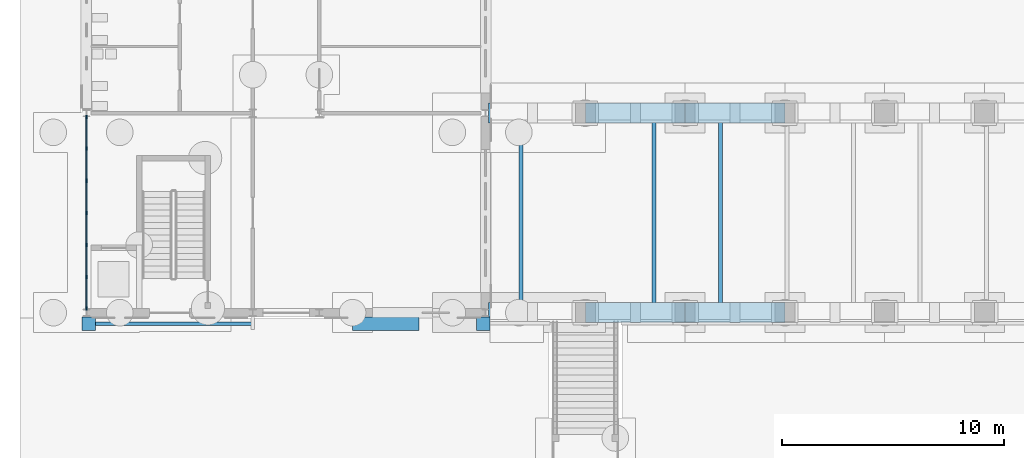
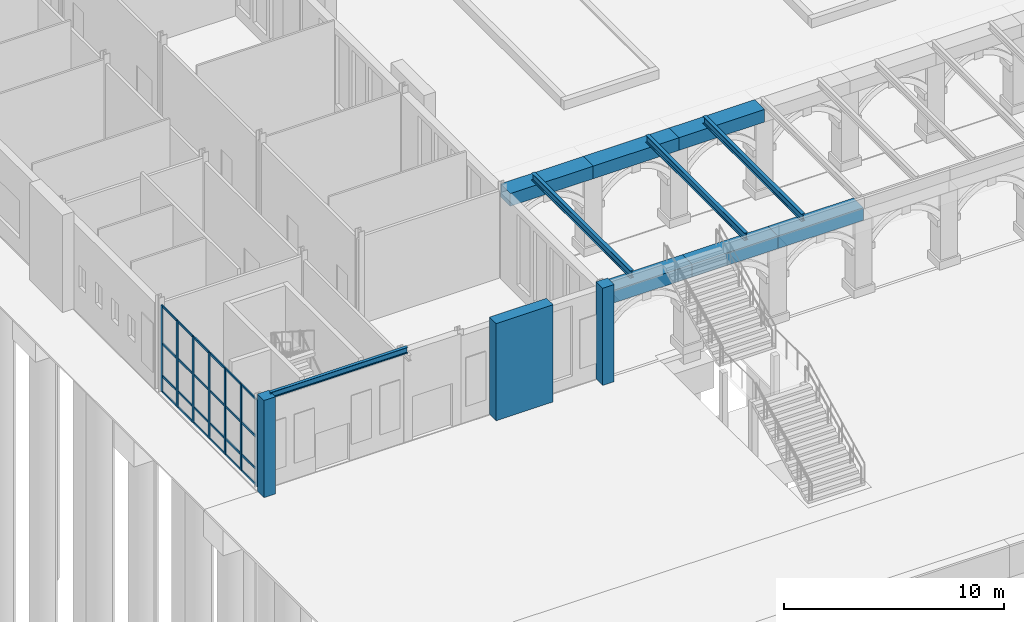
# One storey, part 36 of 168: 34 members, 10 beams, 1 element without a shape of its own.
"""IFC4 building model written with IfcOpenShell, lengths in metres."""

from ifc_helpers import new_model, si_unit, direction, frame, origin, origin_2d, place, context, subcontext, project, spatial, rectangle, i_section, extrude, material, layer, layer_set, material_profile, profile_set, type_object, element, aggregate, save


model = new_model("IFC4")

# Units and contexts
model_context = context("Model", 3, precision=1e-05, world=origin(), true_north=direction((0.0, 1.0)))
body_context = subcontext(model_context, "Body", "Model", "MODEL_VIEW")
ifc_project = project(units=[si_unit("LENGTHUNIT", "METRE"), si_unit("AREAUNIT", "SQUARE_METRE"), si_unit("VOLUMEUNIT", "CUBIC_METRE"), si_unit("PLANEANGLEUNIT", "RADIAN"), si_unit("MASSUNIT", "GRAM", prefix="KILO")], contexts=[model_context])

# Site, building, storey
site_placement = place(None, origin())
site = spatial("IfcSite", under=ifc_project, at=site_placement, CompositionType="ELEMENT")
building_placement = place(site_placement, origin())
building = spatial("IfcBuilding", under=site, at=building_placement, Name="Golden Quay Civic Hall", CompositionType="ELEMENT")
storey_placement = place(building_placement, origin())
storey = spatial("IfcBuildingStorey", under=building, at=storey_placement, Name="L00", CompositionType="ELEMENT", Elevation=0.0)

# Curtain wall, members
ifc_material_1 = material(Name="Glass, laminated double glazed", Category="glass")
ifc_layer = layer(ifc_material_1, 0.199951171875)
ifc_layer_set = layer_set([ifc_layer], Name="Glazed core strip curtain wall")
curtain_wall_type = type_object("IfcCurtainWallType", Name="Glazed core strip curtain wall", PredefinedType="NOTDEFINED", material=ifc_layer_set)
curtain_wall_placement = place(storey_placement, origin())
curtain_wall = element("IfcCurtainWall", 1, at=curtain_wall_placement, inside=storey, type_object=curtain_wall_type, Name="Glazed core strip curtain wall L00 1", PredefinedType="NOTDEFINED")
ifc_material_2 = material(Name="Aluminium, anodised", Category="aluminium")
ifc_material_profile_1 = material_profile(ifc_material_2, rectangle(XDim=0.06005859375, YDim=0.159912109375, at=origin_2d()), Name="Aluminium 60 x 160")
ifc_profile_set_1 = profile_set([ifc_material_profile_1], Name="Aluminium, anodised")
member_type_1 = type_object("IfcMemberType", Name="Aluminium mullion 60 x 160", PredefinedType="MULLION", material=ifc_profile_set_1)
member_1_placement = place(storey_placement, frame((0.0, -8.820068359375, 0.0), z_axis=(0.0, 0.0, 1.0), x_axis=(-1.0, 0.0, 0.0)))
member_1 = element("IfcMember", 2, at=member_1_placement, type_object=member_type_1, Name="CW2 mullion 1", PredefinedType="MULLION", context=body_context, shape_type="SweptSolid", body=[
    extrude(rectangle(XDim=0.06005859375, YDim=0.159912109375, at=origin_2d()), origin(), (0.0, 0.0, 1.0), 4.800048828125),
])
member_2_placement = place(storey_placement, frame((0.0, -7.39990234375, 0.0), z_axis=(0.0, 0.0, 1.0), x_axis=(-1.0, 0.0, 0.0)))
member_2 = element("IfcMember", 3, at=member_2_placement, type_object=member_type_1, Name="CW2 mullion 2", PredefinedType="MULLION", context=body_context, shape_type="SweptSolid", body=[
    extrude(rectangle(XDim=0.06005859375, YDim=0.159912109375, at=origin_2d()), origin(), (0.0, 0.0, 1.0), 4.800048828125),
])
member_3_placement = place(storey_placement, frame((0.0, -5.949951171875, 0.0), z_axis=(0.0, 0.0, 1.0), x_axis=(-1.0, 0.0, 0.0)))
member_3 = element("IfcMember", 4, at=member_3_placement, type_object=member_type_1, Name="CW2 mullion 3", PredefinedType="MULLION", context=body_context, shape_type="SweptSolid", body=[
    extrude(rectangle(XDim=0.06005859375, YDim=0.159912109375, at=origin_2d()), origin(), (0.0, 0.0, 1.0), 4.800048828125),
])
member_4_placement = place(storey_placement, frame((0.0, -4.5, 0.0), z_axis=(0.0, 0.0, 1.0), x_axis=(-1.0, 0.0, 0.0)))
member_4 = element("IfcMember", 5, at=member_4_placement, type_object=member_type_1, Name="CW2 mullion 4", PredefinedType="MULLION", context=body_context, shape_type="SweptSolid", body=[
    extrude(rectangle(XDim=0.06005859375, YDim=0.159912109375, at=origin_2d()), origin(), (0.0, 0.0, 1.0), 4.800048828125),
])
member_5_placement = place(storey_placement, frame((0.0, -3.050048828125, 0.0), z_axis=(0.0, 0.0, 1.0), x_axis=(-1.0, 0.0, 0.0)))
member_5 = element("IfcMember", 6, at=member_5_placement, type_object=member_type_1, Name="CW2 mullion 5", PredefinedType="MULLION", context=body_context, shape_type="SweptSolid", body=[
    extrude(rectangle(XDim=0.06005859375, YDim=0.159912109375, at=origin_2d()), origin(), (0.0, 0.0, 1.0), 4.800048828125),
])
member_6_placement = place(storey_placement, frame((0.0, -1.60009765625, 0.0), z_axis=(0.0, 0.0, 1.0), x_axis=(-1.0, 0.0, 0.0)))
member_6 = element("IfcMember", 7, at=member_6_placement, type_object=member_type_1, Name="CW2 mullion 6", PredefinedType="MULLION", context=body_context, shape_type="SweptSolid", body=[
    extrude(rectangle(XDim=0.06005859375, YDim=0.159912109375, at=origin_2d()), origin(), (0.0, 0.0, 1.0), 4.800048828125),
])
member_7_placement = place(storey_placement, frame((0.0, -0.179931640625, 0.0), z_axis=(0.0, 0.0, 1.0), x_axis=(-1.0, 0.0, 0.0)))
member_7 = element("IfcMember", 8, at=member_7_placement, type_object=member_type_1, Name="CW2 mullion 7", PredefinedType="MULLION", context=body_context, shape_type="SweptSolid", body=[
    extrude(rectangle(XDim=0.06005859375, YDim=0.159912109375, at=origin_2d()), origin(), (0.0, 0.0, 1.0), 4.800048828125),
])
ifc_material_3 = material(Name="Aluminium, anodised", Category="aluminium")
ifc_material_profile_2 = material_profile(ifc_material_3, rectangle(XDim=0.06005859375, YDim=0.1201171875, at=origin_2d()), Name="Aluminium 60 x 120")
ifc_profile_set_2 = profile_set([ifc_material_profile_2], Name="Aluminium, anodised")
member_type_2 = type_object("IfcMemberType", Name="Aluminium transom 60 x 120", PredefinedType="USERDEFINED", material=ifc_profile_set_2)
member_8_placement = place(storey_placement, frame((0.0, -8.7900390625, 0.030029296875), z_axis=(0.0, 1.0, 0.0), x_axis=(-1.0, 0.0, 0.0)))
member_8 = element("IfcMember", 9, at=member_8_placement, type_object=member_type_2, Name="CW2 transom 1.1", ObjectType="TRANSOM", PredefinedType="USERDEFINED", context=body_context, shape_type="SweptSolid", body=[
    extrude(rectangle(XDim=0.06005859375, YDim=0.1201171875, at=origin_2d()), origin(), (0.0, 0.0, 1.0), 1.360107421875),
])
member_9_placement = place(storey_placement, frame((0.0, -8.7900390625, 0.89990234375), z_axis=(0.0, 1.0, 0.0), x_axis=(-1.0, 0.0, 0.0)))
member_9 = element("IfcMember", 10, at=member_9_placement, type_object=member_type_2, Name="CW2 transom 1.2", ObjectType="TRANSOM", PredefinedType="USERDEFINED", context=body_context, shape_type="SweptSolid", body=[
    extrude(rectangle(XDim=0.06005859375, YDim=0.1201171875, at=origin_2d()), origin(), (0.0, 0.0, 1.0), 1.360107421875),
])
member_10_placement = place(storey_placement, frame((0.0, -8.7900390625, 2.699951171875), z_axis=(0.0, 1.0, 0.0), x_axis=(-1.0, 0.0, 0.0)))
member_10 = element("IfcMember", 11, at=member_10_placement, type_object=member_type_2, Name="CW2 transom 1.3", ObjectType="TRANSOM", PredefinedType="USERDEFINED", context=body_context, shape_type="SweptSolid", body=[
    extrude(rectangle(XDim=0.06005859375, YDim=0.1201171875, at=origin_2d()), origin(), (0.0, 0.0, 1.0), 1.360107421875),
])
member_11_placement = place(storey_placement, frame((0.0, -8.7900390625, 4.77001953125), z_axis=(0.0, 1.0, 0.0), x_axis=(-1.0, 0.0, 0.0)))
member_11 = element("IfcMember", 12, at=member_11_placement, type_object=member_type_2, Name="CW2 transom 1.4", ObjectType="TRANSOM", PredefinedType="USERDEFINED", context=body_context, shape_type="SweptSolid", body=[
    extrude(rectangle(XDim=0.06005859375, YDim=0.1201171875, at=origin_2d()), origin(), (0.0, 0.0, 1.0), 1.360107421875),
])
member_12_placement = place(storey_placement, frame((0.0, -7.3701171875, 0.030029296875), z_axis=(0.0, 1.0, 0.0), x_axis=(-1.0, 0.0, 0.0)))
member_12 = element("IfcMember", 13, at=member_12_placement, type_object=member_type_2, Name="CW2 transom 2.1", ObjectType="TRANSOM", PredefinedType="USERDEFINED", context=body_context, shape_type="SweptSolid", body=[
    extrude(rectangle(XDim=0.06005859375, YDim=0.1201171875, at=origin_2d()), origin(), (0.0, 0.0, 1.0), 1.39013671875),
])
member_13_placement = place(storey_placement, frame((0.0, -7.3701171875, 0.89990234375), z_axis=(0.0, 1.0, 0.0), x_axis=(-1.0, 0.0, 0.0)))
member_13 = element("IfcMember", 14, at=member_13_placement, type_object=member_type_2, Name="CW2 transom 2.2", ObjectType="TRANSOM", PredefinedType="USERDEFINED", context=body_context, shape_type="SweptSolid", body=[
    extrude(rectangle(XDim=0.06005859375, YDim=0.1201171875, at=origin_2d()), origin(), (0.0, 0.0, 1.0), 1.39013671875),
])
member_14_placement = place(storey_placement, frame((0.0, -7.3701171875, 2.699951171875), z_axis=(0.0, 1.0, 0.0), x_axis=(-1.0, 0.0, 0.0)))
member_14 = element("IfcMember", 15, at=member_14_placement, type_object=member_type_2, Name="CW2 transom 2.3", ObjectType="TRANSOM", PredefinedType="USERDEFINED", context=body_context, shape_type="SweptSolid", body=[
    extrude(rectangle(XDim=0.06005859375, YDim=0.1201171875, at=origin_2d()), origin(), (0.0, 0.0, 1.0), 1.39013671875),
])
member_15_placement = place(storey_placement, frame((0.0, -7.3701171875, 4.77001953125), z_axis=(0.0, 1.0, 0.0), x_axis=(-1.0, 0.0, 0.0)))
member_15 = element("IfcMember", 16, at=member_15_placement, type_object=member_type_2, Name="CW2 transom 2.4", ObjectType="TRANSOM", PredefinedType="USERDEFINED", context=body_context, shape_type="SweptSolid", body=[
    extrude(rectangle(XDim=0.06005859375, YDim=0.1201171875, at=origin_2d()), origin(), (0.0, 0.0, 1.0), 1.39013671875),
])
member_16_placement = place(storey_placement, frame((0.0, -5.919921875, 0.030029296875), z_axis=(0.0, 1.0, 0.0), x_axis=(-1.0, 0.0, 0.0)))
member_16 = element("IfcMember", 17, at=member_16_placement, type_object=member_type_2, Name="CW2 transom 3.1", ObjectType="TRANSOM", PredefinedType="USERDEFINED", context=body_context, shape_type="SweptSolid", body=[
    extrude(rectangle(XDim=0.06005859375, YDim=0.1201171875, at=origin_2d()), origin(), (0.0, 0.0, 1.0), 1.389892578125),
])
member_17_placement = place(storey_placement, frame((0.0, -5.919921875, 0.89990234375), z_axis=(0.0, 1.0, 0.0), x_axis=(-1.0, 0.0, 0.0)))
member_17 = element("IfcMember", 18, at=member_17_placement, type_object=member_type_2, Name="CW2 transom 3.2", ObjectType="TRANSOM", PredefinedType="USERDEFINED", context=body_context, shape_type="SweptSolid", body=[
    extrude(rectangle(XDim=0.06005859375, YDim=0.1201171875, at=origin_2d()), origin(), (0.0, 0.0, 1.0), 1.389892578125),
])
member_18_placement = place(storey_placement, frame((0.0, -5.919921875, 2.699951171875), z_axis=(0.0, 1.0, 0.0), x_axis=(-1.0, 0.0, 0.0)))
member_18 = element("IfcMember", 19, at=member_18_placement, type_object=member_type_2, Name="CW2 transom 3.3", ObjectType="TRANSOM", PredefinedType="USERDEFINED", context=body_context, shape_type="SweptSolid", body=[
    extrude(rectangle(XDim=0.06005859375, YDim=0.1201171875, at=origin_2d()), origin(), (0.0, 0.0, 1.0), 1.389892578125),
])
member_19_placement = place(storey_placement, frame((0.0, -5.919921875, 4.77001953125), z_axis=(0.0, 1.0, 0.0), x_axis=(-1.0, 0.0, 0.0)))
member_19 = element("IfcMember", 20, at=member_19_placement, type_object=member_type_2, Name="CW2 transom 3.4", ObjectType="TRANSOM", PredefinedType="USERDEFINED", context=body_context, shape_type="SweptSolid", body=[
    extrude(rectangle(XDim=0.06005859375, YDim=0.1201171875, at=origin_2d()), origin(), (0.0, 0.0, 1.0), 1.389892578125),
])
member_20_placement = place(storey_placement, frame((0.0, -4.469970703125, 0.030029296875), z_axis=(0.0, 1.0, 0.0), x_axis=(-1.0, 0.0, 0.0)))
member_20 = element("IfcMember", 21, at=member_20_placement, type_object=member_type_2, Name="CW2 transom 4.1", ObjectType="TRANSOM", PredefinedType="USERDEFINED", context=body_context, shape_type="SweptSolid", body=[
    extrude(rectangle(XDim=0.06005859375, YDim=0.1201171875, at=origin_2d()), origin(), (0.0, 0.0, 1.0), 1.389892578125),
])
member_21_placement = place(storey_placement, frame((0.0, -4.469970703125, 0.89990234375), z_axis=(0.0, 1.0, 0.0), x_axis=(-1.0, 0.0, 0.0)))
member_21 = element("IfcMember", 22, at=member_21_placement, type_object=member_type_2, Name="CW2 transom 4.2", ObjectType="TRANSOM", PredefinedType="USERDEFINED", context=body_context, shape_type="SweptSolid", body=[
    extrude(rectangle(XDim=0.06005859375, YDim=0.1201171875, at=origin_2d()), origin(), (0.0, 0.0, 1.0), 1.389892578125),
])
member_22_placement = place(storey_placement, frame((0.0, -4.469970703125, 2.699951171875), z_axis=(0.0, 1.0, 0.0), x_axis=(-1.0, 0.0, 0.0)))
member_22 = element("IfcMember", 23, at=member_22_placement, type_object=member_type_2, Name="CW2 transom 4.3", ObjectType="TRANSOM", PredefinedType="USERDEFINED", context=body_context, shape_type="SweptSolid", body=[
    extrude(rectangle(XDim=0.06005859375, YDim=0.1201171875, at=origin_2d()), origin(), (0.0, 0.0, 1.0), 1.389892578125),
])
member_23_placement = place(storey_placement, frame((0.0, -4.469970703125, 4.77001953125), z_axis=(0.0, 1.0, 0.0), x_axis=(-1.0, 0.0, 0.0)))
member_23 = element("IfcMember", 24, at=member_23_placement, type_object=member_type_2, Name="CW2 transom 4.4", ObjectType="TRANSOM", PredefinedType="USERDEFINED", context=body_context, shape_type="SweptSolid", body=[
    extrude(rectangle(XDim=0.06005859375, YDim=0.1201171875, at=origin_2d()), origin(), (0.0, 0.0, 1.0), 1.389892578125),
])
member_24_placement = place(storey_placement, frame((0.0, -3.02001953125, 0.030029296875), z_axis=(0.0, 1.0, 0.0), x_axis=(-1.0, 0.0, 0.0)))
member_24 = element("IfcMember", 25, at=member_24_placement, type_object=member_type_2, Name="CW2 transom 5.1", ObjectType="TRANSOM", PredefinedType="USERDEFINED", context=body_context, shape_type="SweptSolid", body=[
    extrude(rectangle(XDim=0.06005859375, YDim=0.1201171875, at=origin_2d()), origin(), (0.0, 0.0, 1.0), 1.39013671875),
])
member_25_placement = place(storey_placement, frame((0.0, -3.02001953125, 0.89990234375), z_axis=(0.0, 1.0, 0.0), x_axis=(-1.0, 0.0, 0.0)))
member_25 = element("IfcMember", 26, at=member_25_placement, type_object=member_type_2, Name="CW2 transom 5.2", ObjectType="TRANSOM", PredefinedType="USERDEFINED", context=body_context, shape_type="SweptSolid", body=[
    extrude(rectangle(XDim=0.06005859375, YDim=0.1201171875, at=origin_2d()), origin(), (0.0, 0.0, 1.0), 1.39013671875),
])
member_26_placement = place(storey_placement, frame((0.0, -3.02001953125, 2.699951171875), z_axis=(0.0, 1.0, 0.0), x_axis=(-1.0, 0.0, 0.0)))
member_26 = element("IfcMember", 27, at=member_26_placement, type_object=member_type_2, Name="CW2 transom 5.3", ObjectType="TRANSOM", PredefinedType="USERDEFINED", context=body_context, shape_type="SweptSolid", body=[
    extrude(rectangle(XDim=0.06005859375, YDim=0.1201171875, at=origin_2d()), origin(), (0.0, 0.0, 1.0), 1.39013671875),
])
member_27_placement = place(storey_placement, frame((0.0, -3.02001953125, 4.77001953125), z_axis=(0.0, 1.0, 0.0), x_axis=(-1.0, 0.0, 0.0)))
member_27 = element("IfcMember", 28, at=member_27_placement, type_object=member_type_2, Name="CW2 transom 5.4", ObjectType="TRANSOM", PredefinedType="USERDEFINED", context=body_context, shape_type="SweptSolid", body=[
    extrude(rectangle(XDim=0.06005859375, YDim=0.1201171875, at=origin_2d()), origin(), (0.0, 0.0, 1.0), 1.39013671875),
])
member_28_placement = place(storey_placement, frame((0.0, -1.570068359375, 0.030029296875), z_axis=(0.0, 1.0, 0.0), x_axis=(-1.0, 0.0, 0.0)))
member_28 = element("IfcMember", 29, at=member_28_placement, type_object=member_type_2, Name="CW2 transom 6.1", ObjectType="TRANSOM", PredefinedType="USERDEFINED", context=body_context, shape_type="SweptSolid", body=[
    extrude(rectangle(XDim=0.06005859375, YDim=0.1201171875, at=origin_2d()), origin(), (0.0, 0.0, 1.0), 1.360107421875),
])
member_29_placement = place(storey_placement, frame((0.0, -1.570068359375, 0.89990234375), z_axis=(0.0, 1.0, 0.0), x_axis=(-1.0, 0.0, 0.0)))
member_29 = element("IfcMember", 30, at=member_29_placement, type_object=member_type_2, Name="CW2 transom 6.2", ObjectType="TRANSOM", PredefinedType="USERDEFINED", context=body_context, shape_type="SweptSolid", body=[
    extrude(rectangle(XDim=0.06005859375, YDim=0.1201171875, at=origin_2d()), origin(), (0.0, 0.0, 1.0), 1.360107421875),
])
member_30_placement = place(storey_placement, frame((0.0, -1.570068359375, 2.699951171875), z_axis=(0.0, 1.0, 0.0), x_axis=(-1.0, 0.0, 0.0)))
member_30 = element("IfcMember", 31, at=member_30_placement, type_object=member_type_2, Name="CW2 transom 6.3", ObjectType="TRANSOM", PredefinedType="USERDEFINED", context=body_context, shape_type="SweptSolid", body=[
    extrude(rectangle(XDim=0.06005859375, YDim=0.1201171875, at=origin_2d()), origin(), (0.0, 0.0, 1.0), 1.360107421875),
])
member_31_placement = place(storey_placement, frame((0.0, -1.570068359375, 4.77001953125), z_axis=(0.0, 1.0, 0.0), x_axis=(-1.0, 0.0, 0.0)))
member_31 = element("IfcMember", 32, at=member_31_placement, type_object=member_type_2, Name="CW2 transom 6.4", ObjectType="TRANSOM", PredefinedType="USERDEFINED", context=body_context, shape_type="SweptSolid", body=[
    extrude(rectangle(XDim=0.06005859375, YDim=0.1201171875, at=origin_2d()), origin(), (0.0, 0.0, 1.0), 1.360107421875),
])
aggregate(curtain_wall, [member_1, member_2, member_3, member_4, member_5, member_6, member_7, member_8, member_9, member_10, member_11, member_12, member_13, member_14, member_15, member_16, member_17, member_18, member_19, member_20, member_21, member_22, member_23, member_24, member_25, member_26, member_27, member_28, member_29, member_30, member_31])

# Beams
ifc_material_4 = material(Name="Concrete C40/50", Category="concrete")
ifc_material_profile_3 = material_profile(ifc_material_4, rectangle(XDim=0.89990234375, YDim=0.699951171875, at=origin_2d()), Name="RC 900x700")
ifc_profile_set_3 = profile_set([ifc_material_profile_3], Name="Concrete C40/50")
beam_type_1 = type_object("IfcBeamType", Name="Concrete spandrel beam RC 900x700", PredefinedType="SPANDREL", material=ifc_profile_set_3)
beam_1_placement = place(storey_placement, frame((18.139892578125, -9.0, 4.449951171875), z_axis=(1.0, 0.0, 0.0), x_axis=(0.0, 1.0, 0.0)))
element("IfcBeam", 33, at=beam_1_placement, inside=storey, type_object=beam_type_1, Name="Spandrel beam outer bay 1", PredefinedType="SPANDREL", context=body_context, shape_type="SweptSolid", body=[
    extrude(rectangle(XDim=0.89990234375, YDim=0.699951171875, at=origin_2d()), origin(), (0.0, 0.0, 1.0), 4.360107421875),
])
for number, where, z_axis, x_axis, name in (
    (34, (22.5, -9.0, 4.449951171875), (1.0, 0.0, 0.0), (0.0, 1.0, 0.0), "Spandrel beam outer bay 2"),
    (35, (27.0, -9.0, 4.449951171875), (1.0, 0.0, 0.0), (0.0, 1.0, 0.0), "Spandrel beam outer bay 3"),
):
    element("IfcBeam", number, at=place(storey_placement, frame(where, z_axis=z_axis, x_axis=x_axis)), inside=storey, type_object=beam_type_1, Name=name, PredefinedType="SPANDREL", context=body_context, shape_type="SweptSolid", body=[
        extrude(rectangle(XDim=0.89990234375, YDim=0.699951171875, at=origin_2d()), origin(), (0.0, 0.0, 1.0), 4.5),
    ])
beam_2_placement = place(storey_placement, frame((18.139892578125, 0.0, 4.449951171875), z_axis=(1.0, 0.0, 0.0), x_axis=(0.0, 1.0, 0.0)))
element("IfcBeam", 36, at=beam_2_placement, inside=storey, type_object=beam_type_1, Name="Spandrel beam inner0 bay 1", PredefinedType="SPANDREL", context=body_context, shape_type="SweptSolid", body=[
    extrude(rectangle(XDim=0.89990234375, YDim=0.699951171875, at=origin_2d()), origin(), (0.0, 0.0, 1.0), 4.360107421875),
])
for number, where, z_axis, x_axis, name in (
    (37, (22.5, 0.0, 4.449951171875), (1.0, 0.0, 0.0), (0.0, 1.0, 0.0), "Spandrel beam inner0 bay 2"),
    (38, (27.0, 0.0, 4.449951171875), (1.0, 0.0, 0.0), (0.0, 1.0, 0.0), "Spandrel beam inner0 bay 3"),
):
    element("IfcBeam", number, at=place(storey_placement, frame(where, z_axis=z_axis, x_axis=x_axis)), inside=storey, type_object=beam_type_1, Name=name, PredefinedType="SPANDREL", context=body_context, shape_type="SweptSolid", body=[
        extrude(rectangle(XDim=0.89990234375, YDim=0.699951171875, at=origin_2d()), origin(), (0.0, 0.0, 1.0), 4.5),
    ])

# Members
ifc_material_5 = material(Name="Concrete C40/50", Category="concrete")
ifc_material_profile_4 = material_profile(ifc_material_5, rectangle(XDim=3.0, YDim=0.60009765625, at=origin_2d()), Name="RC 3000x600")
ifc_profile_set_4 = profile_set([ifc_material_profile_4], Name="Concrete C40/50")
member_type_3 = type_object("IfcMemberType", Name="Precast concrete facade pier 3000 x 600", PredefinedType="POST", material=ifc_profile_set_4)
member_32_placement = place(storey_placement, frame((13.5, -9.5, 0.0), z_axis=(0.0, 0.0, 1.0), x_axis=(1.0, 0.0, 0.0)))
element("IfcMember", 39, at=member_32_placement, inside=storey, type_object=member_type_3, Name="Precast concrete facade pier 3000 x 600 L00 16", PredefinedType="POST", context=body_context, shape_type="SweptSolid", body=[
    extrude(rectangle(XDim=3.0, YDim=0.60009765625, at=origin_2d()), origin(), (0.0, 0.0, 1.0), 5.39990234375),
])
ifc_material_6 = material(Name="Concrete C40/50", Category="concrete")
ifc_material_profile_5 = material_profile(ifc_material_6, rectangle(XDim=0.60009765625, YDim=0.60009765625, at=origin_2d()), Name="RC 600x600")
ifc_profile_set_5 = profile_set([ifc_material_profile_5], Name="Concrete C40/50")
member_type_4 = type_object("IfcMemberType", Name="Precast concrete facade post 600 x 600", PredefinedType="POST", material=ifc_profile_set_5)
for number, where, z_axis, x_axis, name in (
    (40, (0.10009765625, -9.5, 0.0), (0.0, 0.0, 1.0), (1.0, 0.0, 0.0), "Precast concrete facade post 600 x 600 L00 4"),
    (41, (17.89990234375, -9.5, 0.0), (0.0, 0.0, 1.0), (1.0, 0.0, 0.0), "Precast concrete facade post 600 x 600 L00 5"),
):
    element("IfcMember", number, at=place(storey_placement, frame(where, z_axis=z_axis, x_axis=x_axis)), inside=storey, type_object=member_type_4, Name=name, PredefinedType="POST", context=body_context, shape_type="SweptSolid", body=[
        extrude(rectangle(XDim=0.60009765625, YDim=0.60009765625, at=origin_2d()), origin(), (0.0, 0.0, 1.0), 5.39990234375),
    ])

# Beams
ifc_material_7 = material(Name="Steel S355", Category="steel")
ifc_material_profile_6 = material_profile(ifc_material_7, i_section(OverallWidth=0.159912109375, OverallDepth=0.330078125, WebThickness=0.007568359375, FlangeThickness=0.011474609375, FilletRadius=0.01806640625, at=origin_2d()), Name="IPE 330")
ifc_profile_set_6 = profile_set([ifc_material_profile_6], Name="Steel S355")
beam_type_2 = type_object("IfcBeamType", Name="Steel pier plinth beam IPE 330", PredefinedType="BEAM", material=ifc_profile_set_6)
beam_3_placement = place(storey_placement, frame((0.300048828125, -9.5, 5.364990234375), z_axis=(1.0, 0.0, 0.0), x_axis=(0.0, 1.0, 0.0)))
element("IfcBeam", 42, at=beam_3_placement, inside=storey, type_object=beam_type_2, Name="Steel pier plinth beam IPE 330 L00 1", PredefinedType="BEAM", context=body_context, shape_type="SweptSolid", body=[
    extrude(i_section(OverallWidth=0.159912109375, OverallDepth=0.330078125, WebThickness=0.007568359375, FlangeThickness=0.011474609375, FilletRadius=0.01806640625, at=origin_2d()), origin(), (0.0, 0.0, 1.0), 7.199951171875),
])
ifc_material_8 = material(Name="Steel S355", Category="steel")
ifc_material_profile_7 = material_profile(ifc_material_8, i_section(OverallWidth=0.179931640625, OverallDepth=0.39990234375, WebThickness=0.008544921875, FlangeThickness=0.013427734375, FilletRadius=0.02099609375, at=origin_2d()), Name="IPE 400")
ifc_profile_set_7 = profile_set([ifc_material_profile_7], Name="Steel S355")
beam_type_3 = type_object("IfcBeamType", Name="Steel terrace beam IPE 400", PredefinedType="JOIST", material=ifc_profile_set_7)
for number, where, z_axis, x_axis, name in (
    (43, (19.60009765625, -9.0, 5.0), (0.0, 1.0, 0.0), (-1.0, 0.0, 0.0), "Terrace beam 1"),
    (44, (25.60009765625, -9.0, 5.0), (0.0, 1.0, 0.0), (-1.0, 0.0, 0.0), "Terrace beam 2"),
    (45, (28.60009765625, -9.0, 5.0), (0.0, 1.0, 0.0), (-1.0, 0.0, 0.0), "Terrace beam 3"),
):
    element("IfcBeam", number, at=place(storey_placement, frame(where, z_axis=z_axis, x_axis=x_axis)), inside=storey, type_object=beam_type_3, Name=name, PredefinedType="JOIST", context=body_context, shape_type="SweptSolid", body=[
        extrude(i_section(OverallWidth=0.179931640625, OverallDepth=0.39990234375, WebThickness=0.008544921875, FlangeThickness=0.013427734375, FilletRadius=0.02099609375, at=origin_2d()), origin(), (0.0, 0.0, 1.0), 9.0),
    ])

save(model, "model.ifc")
